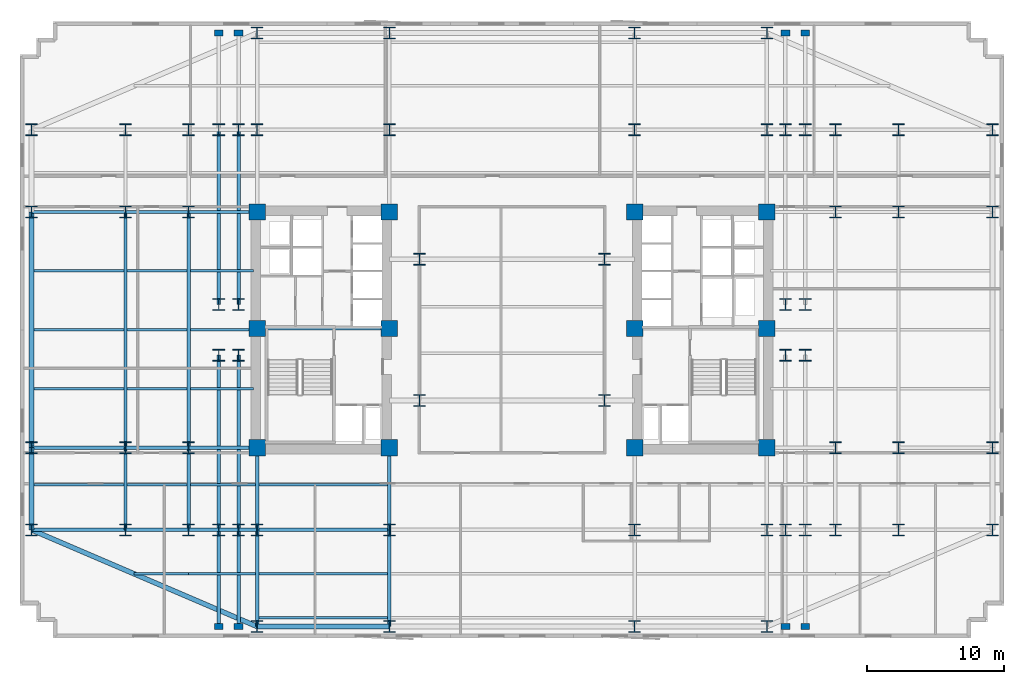
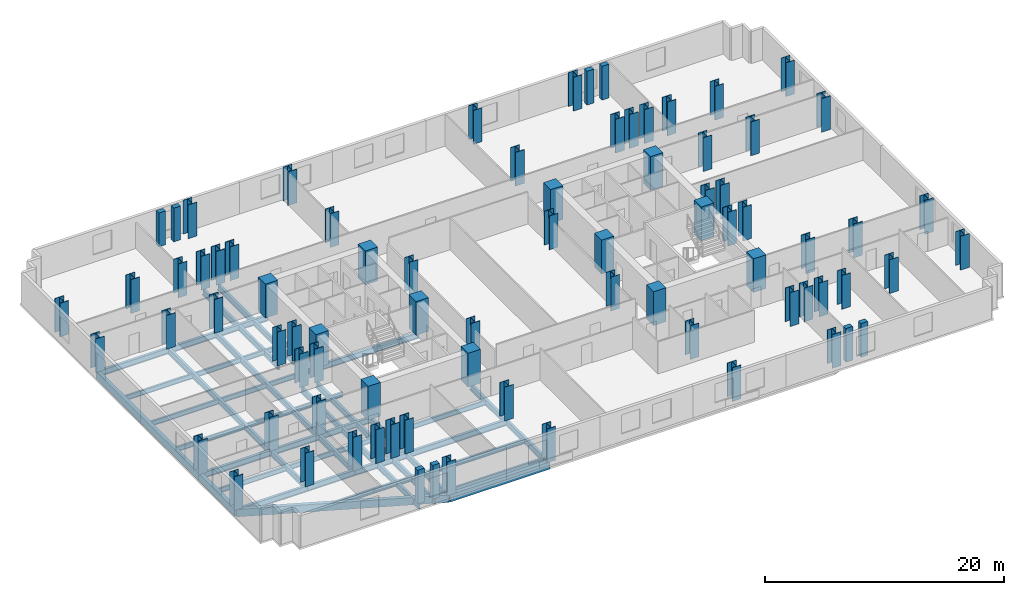
# One storey, part 1 of 10: 80 columns, 46 beams.
"""IFC4 building model written with IfcOpenShell, lengths in metres."""

from ifc_helpers import new_model, si_unit, direction, frame, origin, origin_2d, place, context, subcontext, project, spatial, rectangle, i_section, extrude, material, material_profile, profile_set, type_object, element, save


model = new_model("IFC4")

# Units and contexts
model_context = context("Model", 3, precision=1e-05, world=origin(), true_north=direction((0.0, 1.0)))
body_context = subcontext(model_context, "Body", "Model", "MODEL_VIEW")
ifc_project = project(units=[si_unit("LENGTHUNIT", "METRE"), si_unit("AREAUNIT", "SQUARE_METRE"), si_unit("VOLUMEUNIT", "CUBIC_METRE"), si_unit("PLANEANGLEUNIT", "RADIAN"), si_unit("MASSUNIT", "GRAM", prefix="KILO")], contexts=[model_context])

# Site, building, storey
site_placement = place(None, origin())
site = spatial("IfcSite", under=ifc_project, at=site_placement, CompositionType="ELEMENT")
building_placement = place(site_placement, origin())
building = spatial("IfcBuilding", under=site, at=building_placement, Name="Velakula Bourse", CompositionType="ELEMENT")
storey_placement = place(building_placement, frame((0.0, 0.0, 45.0)))
storey = spatial("IfcBuildingStorey", under=building, at=storey_placement, Name="L11", CompositionType="ELEMENT", Elevation=45.0)

# Columns
ifc_material_1 = material(Name="Concrete M70 (fck 70 MPa)", Category="concrete")
ifc_material_profile_1 = material_profile(ifc_material_1, rectangle(XDim=1.199951171875, YDim=1.199951171875, at=origin_2d()), Name="Concrete M70 (fck 70 MPa)")
ifc_profile_set_1 = profile_set([ifc_material_profile_1], Name="Concrete M70 (fck 70 MPa)")
column_type_1 = type_object("IfcColumnType", Name="COL-RC-1200", PredefinedType="COLUMN", material=ifc_profile_set_1)
for number, where, z_axis, x_axis, name in (
    (1, (-8.949951171875, -8.60009765625, 0.0), (0.0, 0.0, 1.0), (1.0, 0.0, 0.0), "L11 Core Boundary Column 01"),
    (2, (-8.949951171875, 0.10009765625, 0.0), (0.0, 0.0, 1.0), (1.0, 0.0, 0.0), "L11 Core Boundary Column 02"),
    (3, (-8.949951171875, 8.60009765625, 0.0), (0.0, 0.0, 1.0), (1.0, 0.0, 0.0), "L11 Core Boundary Column 03"),
    (4, (-18.60009765625, -8.60009765625, 0.0), (0.0, 0.0, 1.0), (1.0, 0.0, 0.0), "L11 Core Boundary Column 04"),
    (5, (-18.60009765625, 0.10009765625, 0.0), (0.0, 0.0, 1.0), (1.0, 0.0, 0.0), "L11 Core Boundary Column 05"),
    (6, (-18.60009765625, 8.60009765625, 0.0), (0.0, 0.0, 1.0), (1.0, 0.0, 0.0), "L11 Core Boundary Column 06"),
    (7, (8.949951171875, -8.60009765625, 0.0), (0.0, 0.0, 1.0), (1.0, 0.0, 0.0), "L11 Core Boundary Column 07"),
    (8, (8.949951171875, 0.10009765625, 0.0), (0.0, 0.0, 1.0), (1.0, 0.0, 0.0), "L11 Core Boundary Column 08"),
    (9, (8.949951171875, 8.60009765625, 0.0), (0.0, 0.0, 1.0), (1.0, 0.0, 0.0), "L11 Core Boundary Column 09"),
    (10, (18.60009765625, -8.60009765625, 0.0), (0.0, 0.0, 1.0), (1.0, 0.0, 0.0), "L11 Core Boundary Column 10"),
    (11, (18.60009765625, 0.10009765625, 0.0), (0.0, 0.0, 1.0), (1.0, 0.0, 0.0), "L11 Core Boundary Column 11"),
    (12, (18.60009765625, 8.60009765625, 0.0), (0.0, 0.0, 1.0), (1.0, 0.0, 0.0), "L11 Core Boundary Column 12"),
):
    element("IfcColumn", number, at=place(storey_placement, frame(where, z_axis=z_axis, x_axis=x_axis)), inside=storey, type_object=column_type_1, Name=name, PredefinedType="COLUMN", context=body_context, shape_type="SweptSolid", body=[
        extrude(rectangle(XDim=1.199951171875, YDim=1.199951171875, at=origin_2d()), origin(), (0.0, 0.0, 1.0), 3.449951171875),
    ])
ifc_material_2 = material(Name="Steel IS 2062 Grade 450 (E450)", Category="steel")
ifc_material_profile_2 = material_profile(ifc_material_2, i_section(OverallWidth=0.85009765625, OverallDepth=0.85009765625, WebThickness=0.031982421875, FlangeThickness=0.048095703125, at=origin_2d()), Name="Steel IS 2062 Grade 450 (E450)")
ifc_profile_set_2 = profile_set([ifc_material_profile_2], Name="Steel IS 2062 Grade 450 (E450)")
column_type_2 = type_object("IfcColumnType", Name="COL-STL-850", PredefinedType="COLUMN", material=ifc_profile_set_2)
for number, where, z_axis, x_axis, name in (
    (13, (-6.75, -5.14990234375, 0.0), (0.0, 0.0, 1.0), (1.0, 0.0, 0.0), "L11 Central Spine Column 01"),
    (14, (-6.75, 5.14990234375, 0.0), (0.0, 0.0, 1.0), (1.0, 0.0, 0.0), "L11 Central Spine Column 02"),
    (15, (6.75, -5.14990234375, 0.0), (0.0, 0.0, 1.0), (1.0, 0.0, 0.0), "L11 Central Spine Column 03"),
    (16, (6.75, 5.14990234375, 0.0), (0.0, 0.0, 1.0), (1.0, 0.0, 0.0), "L11 Central Spine Column 04"),
    (17, (-21.39990234375, -14.60009765625, 0.0), (0.0, 0.0, 1.0), (1.0, 0.0, 0.0), "L11 Tower Fulcrum Column 01"),
    (18, (-21.39990234375, 14.60009765625, 0.0), (0.0, 0.0, 1.0), (1.0, 0.0, 0.0), "L11 Tower Fulcrum Column 02"),
    (19, (-19.949951171875, -14.60009765625, 0.0), (0.0, 0.0, 1.0), (1.0, 0.0, 0.0), "L11 Tower Fulcrum Column 03"),
    (20, (-19.949951171875, 14.60009765625, 0.0), (0.0, 0.0, 1.0), (1.0, 0.0, 0.0), "L11 Tower Fulcrum Column 04"),
    (21, (-18.60009765625, -14.60009765625, 0.0), (0.0, 0.0, 1.0), (1.0, 0.0, 0.0), "L11 Tower Fulcrum Column 05"),
    (22, (-18.60009765625, 14.60009765625, 0.0), (0.0, 0.0, 1.0), (1.0, 0.0, 0.0), "L11 Tower Fulcrum Column 06"),
    (23, (-8.949951171875, -14.60009765625, 0.0), (0.0, 0.0, 1.0), (1.0, 0.0, 0.0), "L11 Tower Fulcrum Column 07"),
    (24, (-8.949951171875, 14.60009765625, 0.0), (0.0, 0.0, 1.0), (1.0, 0.0, 0.0), "L11 Tower Fulcrum Column 08"),
    (25, (8.949951171875, -14.60009765625, 0.0), (0.0, 0.0, 1.0), (1.0, 0.0, 0.0), "L11 Tower Fulcrum Column 09"),
    (26, (8.949951171875, 14.60009765625, 0.0), (0.0, 0.0, 1.0), (1.0, 0.0, 0.0), "L11 Tower Fulcrum Column 10"),
    (27, (18.60009765625, -14.60009765625, 0.0), (0.0, 0.0, 1.0), (1.0, 0.0, 0.0), "L11 Tower Fulcrum Column 11"),
    (28, (18.60009765625, 14.60009765625, 0.0), (0.0, 0.0, 1.0), (1.0, 0.0, 0.0), "L11 Tower Fulcrum Column 12"),
    (29, (19.949951171875, -14.60009765625, 0.0), (0.0, 0.0, 1.0), (1.0, 0.0, 0.0), "L11 Tower Fulcrum Column 13"),
    (30, (19.949951171875, 14.60009765625, 0.0), (0.0, 0.0, 1.0), (1.0, 0.0, 0.0), "L11 Tower Fulcrum Column 14"),
    (31, (21.39990234375, -14.60009765625, 0.0), (0.0, 0.0, 1.0), (1.0, 0.0, 0.0), "L11 Tower Fulcrum Column 15"),
    (32, (21.39990234375, 14.60009765625, 0.0), (0.0, 0.0, 1.0), (1.0, 0.0, 0.0), "L11 Tower Fulcrum Column 16"),
    (33, (-21.39990234375, -1.85009765625, 0.0), (0.0, 0.0, 1.0), (1.0, 0.0, 0.0), "L11 Tower Fulcrum Column 17"),
    (34, (-21.39990234375, 1.85009765625, 0.0), (0.0, 0.0, 1.0), (1.0, 0.0, 0.0), "L11 Tower Fulcrum Column 18"),
    (35, (-19.949951171875, -1.85009765625, 0.0), (0.0, 0.0, 1.0), (1.0, 0.0, 0.0), "L11 Tower Fulcrum Column 19"),
    (36, (-19.949951171875, 1.85009765625, 0.0), (0.0, 0.0, 1.0), (1.0, 0.0, 0.0), "L11 Tower Fulcrum Column 20"),
    (37, (19.949951171875, -1.85009765625, 0.0), (0.0, 0.0, 1.0), (1.0, 0.0, 0.0), "L11 Tower Fulcrum Column 21"),
    (38, (19.949951171875, 1.85009765625, 0.0), (0.0, 0.0, 1.0), (1.0, 0.0, 0.0), "L11 Tower Fulcrum Column 22"),
    (39, (21.39990234375, -1.85009765625, 0.0), (0.0, 0.0, 1.0), (1.0, 0.0, 0.0), "L11 Tower Fulcrum Column 23"),
    (40, (21.39990234375, 1.85009765625, 0.0), (0.0, 0.0, 1.0), (1.0, 0.0, 0.0), "L11 Tower Fulcrum Column 24"),
    (41, (-23.60009765625, -14.60009765625, 0.0), (0.0, 0.0, 1.0), (1.0, 0.0, 0.0), "L11 Mid-Wing Plumb Column 01"),
    (42, (-23.60009765625, -8.60009765625, 0.0), (0.0, 0.0, 1.0), (1.0, 0.0, 0.0), "L11 Mid-Wing Plumb Column 02"),
    (43, (-23.60009765625, 8.60009765625, 0.0), (0.0, 0.0, 1.0), (1.0, 0.0, 0.0), "L11 Mid-Wing Plumb Column 03"),
    (44, (-23.60009765625, 14.60009765625, 0.0), (0.0, 0.0, 1.0), (1.0, 0.0, 0.0), "L11 Mid-Wing Plumb Column 04"),
    (45, (23.60009765625, -14.60009765625, 0.0), (0.0, 0.0, 1.0), (1.0, 0.0, 0.0), "L11 Mid-Wing Plumb Column 05"),
    (46, (23.60009765625, -8.60009765625, 0.0), (0.0, 0.0, 1.0), (1.0, 0.0, 0.0), "L11 Mid-Wing Plumb Column 06"),
    (47, (23.60009765625, 8.60009765625, 0.0), (0.0, 0.0, 1.0), (1.0, 0.0, 0.0), "L11 Mid-Wing Plumb Column 07"),
    (48, (23.60009765625, 14.60009765625, 0.0), (0.0, 0.0, 1.0), (1.0, 0.0, 0.0), "L11 Mid-Wing Plumb Column 08"),
    (49, (-28.199951171875, -14.60009765625, 0.0), (0.0, 0.0, 1.0), (1.0, 0.0, 0.0), "L11 Lower Wing Column 01"),
    (50, (-28.199951171875, -8.60009765625, 0.0), (0.0, 0.0, 1.0), (1.0, 0.0, 0.0), "L11 Lower Wing Column 02"),
    (51, (-28.199951171875, 8.60009765625, 0.0), (0.0, 0.0, 1.0), (1.0, 0.0, 0.0), "L11 Lower Wing Column 03"),
    (52, (-28.199951171875, 14.60009765625, 0.0), (0.0, 0.0, 1.0), (1.0, 0.0, 0.0), "L11 Lower Wing Column 04"),
    (53, (28.199951171875, -14.60009765625, 0.0), (0.0, 0.0, 1.0), (1.0, 0.0, 0.0), "L11 Lower Wing Column 05"),
    (54, (28.199951171875, -8.60009765625, 0.0), (0.0, 0.0, 1.0), (1.0, 0.0, 0.0), "L11 Lower Wing Column 06"),
    (55, (28.199951171875, 8.60009765625, 0.0), (0.0, 0.0, 1.0), (1.0, 0.0, 0.0), "L11 Lower Wing Column 07"),
    (56, (28.199951171875, 14.60009765625, 0.0), (0.0, 0.0, 1.0), (1.0, 0.0, 0.0), "L11 Lower Wing Column 08"),
    (57, (-18.60009765625, -21.64990234375, 0.0), (0.0, 0.0, 1.0), (1.0, 0.0, 0.0), "L11 Block B1 Perimeter Column S1"),
    (58, (-8.949951171875, -21.64990234375, 0.0), (0.0, 0.0, 1.0), (1.0, 0.0, 0.0), "L11 Block B1 Perimeter Column S2"),
    (59, (8.949951171875, -21.64990234375, 0.0), (0.0, 0.0, 1.0), (1.0, 0.0, 0.0), "L11 Block B1 Perimeter Column S3"),
    (60, (18.60009765625, -21.64990234375, 0.0), (0.0, 0.0, 1.0), (1.0, 0.0, 0.0), "L11 Block B1 Perimeter Column S4"),
    (61, (-18.60009765625, 21.64990234375, 0.0), (0.0, 0.0, 1.0), (1.0, 0.0, 0.0), "L11 Block B1 Perimeter Column N1"),
    (62, (-8.949951171875, 21.64990234375, 0.0), (0.0, 0.0, 1.0), (1.0, 0.0, 0.0), "L11 Block B1 Perimeter Column N2"),
    (63, (8.949951171875, 21.64990234375, 0.0), (0.0, 0.0, 1.0), (1.0, 0.0, 0.0), "L11 Block B1 Perimeter Column N3"),
    (64, (18.60009765625, 21.64990234375, 0.0), (0.0, 0.0, 1.0), (1.0, 0.0, 0.0), "L11 Block B1 Perimeter Column N4"),
    (65, (-35.050048828125, -14.60009765625, 0.0), (0.0, 0.0, 1.0), (1.0, 0.0, 0.0), "L11 Block B1 Perimeter Column W1"),
    (66, (-35.050048828125, -8.60009765625, 0.0), (0.0, 0.0, 1.0), (1.0, 0.0, 0.0), "L11 Block B1 Perimeter Column W2"),
    (67, (-35.050048828125, 8.60009765625, 0.0), (0.0, 0.0, 1.0), (1.0, 0.0, 0.0), "L11 Block B1 Perimeter Column W3"),
    (68, (-35.050048828125, 14.60009765625, 0.0), (0.0, 0.0, 1.0), (1.0, 0.0, 0.0), "L11 Block B1 Perimeter Column W4"),
    (69, (35.050048828125, -14.60009765625, 0.0), (0.0, 0.0, 1.0), (1.0, 0.0, 0.0), "L11 Block B1 Perimeter Column E1"),
    (70, (35.050048828125, -8.60009765625, 0.0), (0.0, 0.0, 1.0), (1.0, 0.0, 0.0), "L11 Block B1 Perimeter Column E2"),
    (71, (35.050048828125, 8.60009765625, 0.0), (0.0, 0.0, 1.0), (1.0, 0.0, 0.0), "L11 Block B1 Perimeter Column E3"),
    (72, (35.050048828125, 14.60009765625, 0.0), (0.0, 0.0, 1.0), (1.0, 0.0, 0.0), "L11 Block B1 Perimeter Column E4"),
):
    element("IfcColumn", number, at=place(storey_placement, frame(where, z_axis=z_axis, x_axis=x_axis)), inside=storey, type_object=column_type_2, Name=name, PredefinedType="COLUMN", context=body_context, shape_type="SweptSolid", body=[
        extrude(i_section(OverallWidth=0.85009765625, OverallDepth=0.85009765625, WebThickness=0.031982421875, FlangeThickness=0.048095703125, at=origin_2d()), origin(), (0.0, 0.0, 1.0), 3.449951171875),
    ])
ifc_material_3 = material(Name="Precast concrete M45 (fck 45 MPa)", Category="concrete")
ifc_material_profile_3 = material_profile(ifc_material_3, rectangle(XDim=0.64990234375, YDim=0.449951171875, at=origin_2d()), Name="Precast concrete M45 (fck 45 MPa)")
ifc_profile_set_3 = profile_set([ifc_material_profile_3], Name="Precast concrete M45 (fck 45 MPa)")
column_type_3 = type_object("IfcColumnType", Name="PIL-BRICK-650", PredefinedType="PILASTER", material=ifc_profile_set_3)
for number, where, z_axis, x_axis, name in (
    (73, (-21.39990234375, -21.64990234375, 0.0), (0.0, 0.0, 1.0), (1.0, 0.0, 0.0), "L11 Brick Pier Pilaster 01"),
    (74, (-19.949951171875, -21.64990234375, 0.0), (0.0, 0.0, 1.0), (1.0, 0.0, 0.0), "L11 Brick Pier Pilaster 02"),
    (75, (19.949951171875, -21.64990234375, 0.0), (0.0, 0.0, 1.0), (1.0, 0.0, 0.0), "L11 Brick Pier Pilaster 03"),
    (76, (21.39990234375, -21.64990234375, 0.0), (0.0, 0.0, 1.0), (1.0, 0.0, 0.0), "L11 Brick Pier Pilaster 04"),
    (77, (-21.39990234375, 21.64990234375, 0.0), (0.0, 0.0, 1.0), (1.0, 0.0, 0.0), "L11 Brick Pier Pilaster 05"),
    (78, (-19.949951171875, 21.64990234375, 0.0), (0.0, 0.0, 1.0), (1.0, 0.0, 0.0), "L11 Brick Pier Pilaster 06"),
    (79, (19.949951171875, 21.64990234375, 0.0), (0.0, 0.0, 1.0), (1.0, 0.0, 0.0), "L11 Brick Pier Pilaster 07"),
    (80, (21.39990234375, 21.64990234375, 0.0), (0.0, 0.0, 1.0), (1.0, 0.0, 0.0), "L11 Brick Pier Pilaster 08"),
):
    element("IfcColumn", number, at=place(storey_placement, frame(where, z_axis=z_axis, x_axis=x_axis)), inside=storey, type_object=column_type_3, Name=name, PredefinedType="PILASTER", context=body_context, shape_type="SweptSolid", body=[
        extrude(rectangle(XDim=0.64990234375, YDim=0.449951171875, at=origin_2d()), origin(), (0.0, 0.0, 1.0), 3.449951171875),
    ])

# Beams
ifc_material_4 = material(Name="Steel IS 2062 Grade 350 (E350)", Category="steel")
ifc_material_profile_4 = material_profile(ifc_material_4, i_section(OverallWidth=0.25, OverallDepth=0.60009765625, WebThickness=0.01171875, FlangeThickness=0.023681640625, at=origin_2d()), Name="Steel IS 2062 Grade 350 (E350)")
ifc_profile_set_4 = profile_set([ifc_material_profile_4], Name="Steel IS 2062 Grade 350 (E350)")
beam_type_1 = type_object("IfcBeamType", Name="BM-GRD-600H", PredefinedType="BEAM", material=ifc_profile_set_4)
beam_1_placement = place(storey_placement, frame((-18.60009765625, 0.10009765625, -0.47998046875), z_axis=(1.0, 0.0, 0.0), x_axis=(0.0, 1.0, 0.0)))
element("IfcBeam", 81, at=beam_1_placement, inside=storey, type_object=beam_type_1, Name="L11 Primary Backbone Girder CRW-M", PredefinedType="BEAM", context=body_context, shape_type="SweptSolid", body=[
    extrude(i_section(OverallWidth=0.25, OverallDepth=0.60009765625, WebThickness=0.01171875, FlangeThickness=0.023681640625, at=origin_2d()), origin(), (0.0, 0.0, 1.0), 9.650146484375),
])
for number, where, z_axis, x_axis, name in (
    (82, (-18.60009765625, -14.60009765625, -0.47998046875), (0.0, 1.0, 0.0), (-1.0, 0.0, 0.0), "L11 Fulcrum Grid Girder FLC-WS"),
    (83, (-8.949951171875, -14.60009765625, -0.47998046875), (0.0, 1.0, 0.0), (-1.0, 0.0, 0.0), "L11 Fulcrum Grid Girder FLC-WCS"),
):
    element("IfcBeam", number, at=place(storey_placement, frame(where, z_axis=z_axis, x_axis=x_axis)), inside=storey, type_object=beam_type_1, Name=name, PredefinedType="BEAM", context=body_context, shape_type="SweptSolid", body=[
        extrude(i_section(OverallWidth=0.25, OverallDepth=0.60009765625, WebThickness=0.01171875, FlangeThickness=0.023681640625, at=origin_2d()), origin(), (0.0, 0.0, 1.0), 6.0),
    ])
beam_2_placement = place(storey_placement, frame((-18.60009765625, -14.60009765625, -0.47998046875), z_axis=(1.0, 0.0, 0.0), x_axis=(0.0, 1.0, 0.0)))
element("IfcBeam", 84, at=beam_2_placement, inside=storey, type_object=beam_type_1, Name="L11 Fulcrum Grid Girder FLC-S1", PredefinedType="BEAM", context=body_context, shape_type="SweptSolid", body=[
    extrude(i_section(OverallWidth=0.25, OverallDepth=0.60009765625, WebThickness=0.01171875, FlangeThickness=0.023681640625, at=origin_2d()), origin(), (0.0, 0.0, 1.0), 9.650146484375),
])
for number, where, z_axis, x_axis, name in (
    (85, (-21.39990234375, -14.60009765625, -0.47998046875), (0.0, 1.0, 0.0), (-1.0, 0.0, 0.0), "L11 Fulcrum Grid Girder FLC-PSW1"),
    (86, (-21.39990234375, 1.85009765625, -0.47998046875), (0.0, 1.0, 0.0), (-1.0, 0.0, 0.0), "L11 Fulcrum Grid Girder FLC-PNW1"),
    (87, (-19.949951171875, -14.60009765625, -0.47998046875), (0.0, 1.0, 0.0), (-1.0, 0.0, 0.0), "L11 Fulcrum Grid Girder FLC-PSW2"),
    (88, (-19.949951171875, 1.85009765625, -0.47998046875), (0.0, 1.0, 0.0), (-1.0, 0.0, 0.0), "L11 Fulcrum Grid Girder FLC-PNW2"),
):
    element("IfcBeam", number, at=place(storey_placement, frame(where, z_axis=z_axis, x_axis=x_axis)), inside=storey, type_object=beam_type_1, Name=name, PredefinedType="BEAM", context=body_context, shape_type="SweptSolid", body=[
        extrude(i_section(OverallWidth=0.25, OverallDepth=0.60009765625, WebThickness=0.01171875, FlangeThickness=0.023681640625, at=origin_2d()), origin(), (0.0, 0.0, 1.0), 12.75),
    ])
for number, where, z_axis, x_axis, name in (
    (89, (-23.60009765625, -14.60009765625, -0.47998046875), (1.0, 0.0, 0.0), (0.0, 1.0, 0.0), "L11 Fulcrum Grid Girder MWG-WS1"),
    (90, (-23.60009765625, -8.60009765625, -0.47998046875), (1.0, 0.0, 0.0), (0.0, 1.0, 0.0), "L11 Fulcrum Grid Girder MWG-WS2"),
    (91, (-23.60009765625, 8.60009765625, -0.47998046875), (1.0, 0.0, 0.0), (0.0, 1.0, 0.0), "L11 Fulcrum Grid Girder MWG-WN1"),
):
    element("IfcBeam", number, at=place(storey_placement, frame(where, z_axis=z_axis, x_axis=x_axis)), inside=storey, type_object=beam_type_1, Name=name, PredefinedType="BEAM", context=body_context, shape_type="SweptSolid", body=[
        extrude(i_section(OverallWidth=0.25, OverallDepth=0.60009765625, WebThickness=0.01171875, FlangeThickness=0.023681640625, at=origin_2d()), origin(), (0.0, 0.0, 1.0), 5.0),
    ])
beam_3_placement = place(storey_placement, frame((-23.60009765625, -14.60009765625, -0.47998046875), z_axis=(0.0, 1.0, 0.0), x_axis=(-1.0, 0.0, 0.0)))
element("IfcBeam", 92, at=beam_3_placement, inside=storey, type_object=beam_type_1, Name="L11 Fulcrum Grid Girder MWG-WNS1", PredefinedType="BEAM", context=body_context, shape_type="SweptSolid", body=[
    extrude(i_section(OverallWidth=0.25, OverallDepth=0.60009765625, WebThickness=0.01171875, FlangeThickness=0.023681640625, at=origin_2d()), origin(), (0.0, 0.0, 1.0), 6.0),
])
beam_4_placement = place(storey_placement, frame((-23.60009765625, -8.60009765625, -0.47998046875), z_axis=(0.0, 1.0, 0.0), x_axis=(-1.0, 0.0, 0.0)))
element("IfcBeam", 93, at=beam_4_placement, inside=storey, type_object=beam_type_1, Name="L11 Fulcrum Grid Girder MWG-WNS2", PredefinedType="BEAM", context=body_context, shape_type="SweptSolid", body=[
    extrude(i_section(OverallWidth=0.25, OverallDepth=0.60009765625, WebThickness=0.01171875, FlangeThickness=0.023681640625, at=origin_2d()), origin(), (0.0, 0.0, 1.0), 17.2001953125),
])
for number, where, z_axis, x_axis, name in (
    (94, (-28.199951171875, -14.60009765625, -0.47998046875), (1.0, 0.0, 0.0), (0.0, 1.0, 0.0), "L11 Fulcrum Grid Girder WNG-WS1"),
    (95, (-28.199951171875, -8.60009765625, -0.47998046875), (1.0, 0.0, 0.0), (0.0, 1.0, 0.0), "L11 Fulcrum Grid Girder WNG-WS2"),
    (96, (-28.199951171875, 8.60009765625, -0.47998046875), (1.0, 0.0, 0.0), (0.0, 1.0, 0.0), "L11 Fulcrum Grid Girder WNG-WN1"),
):
    element("IfcBeam", number, at=place(storey_placement, frame(where, z_axis=z_axis, x_axis=x_axis)), inside=storey, type_object=beam_type_1, Name=name, PredefinedType="BEAM", context=body_context, shape_type="SweptSolid", body=[
        extrude(i_section(OverallWidth=0.25, OverallDepth=0.60009765625, WebThickness=0.01171875, FlangeThickness=0.023681640625, at=origin_2d()), origin(), (0.0, 0.0, 1.0), 4.599853515625),
    ])
beam_5_placement = place(storey_placement, frame((-28.199951171875, -14.60009765625, -0.47998046875), z_axis=(0.0, 1.0, 0.0), x_axis=(-1.0, 0.0, 0.0)))
element("IfcBeam", 97, at=beam_5_placement, inside=storey, type_object=beam_type_1, Name="L11 Fulcrum Grid Girder WNG-WNS1", PredefinedType="BEAM", context=body_context, shape_type="SweptSolid", body=[
    extrude(i_section(OverallWidth=0.25, OverallDepth=0.60009765625, WebThickness=0.01171875, FlangeThickness=0.023681640625, at=origin_2d()), origin(), (0.0, 0.0, 1.0), 6.0),
])
beam_6_placement = place(storey_placement, frame((-28.199951171875, -8.60009765625, -0.47998046875), z_axis=(0.0, 1.0, 0.0), x_axis=(-1.0, 0.0, 0.0)))
element("IfcBeam", 98, at=beam_6_placement, inside=storey, type_object=beam_type_1, Name="L11 Fulcrum Grid Girder WNG-WNS2", PredefinedType="BEAM", context=body_context, shape_type="SweptSolid", body=[
    extrude(i_section(OverallWidth=0.25, OverallDepth=0.60009765625, WebThickness=0.01171875, FlangeThickness=0.023681640625, at=origin_2d()), origin(), (0.0, 0.0, 1.0), 17.2001953125),
])
for number, where, z_axis, x_axis, name in (
    (99, (-18.60009765625, -14.60009765625, -0.47998046875), (0.0, -1.0, 0.0), (1.0, 0.0, 0.0), "L11 Perimeter Tie Girder S1"),
    (100, (-8.949951171875, -14.60009765625, -0.47998046875), (0.0, -1.0, 0.0), (1.0, 0.0, 0.0), "L11 Perimeter Tie Girder S2"),
):
    element("IfcBeam", number, at=place(storey_placement, frame(where, z_axis=z_axis, x_axis=x_axis)), inside=storey, type_object=beam_type_1, Name=name, PredefinedType="BEAM", context=body_context, shape_type="SweptSolid", body=[
        extrude(i_section(OverallWidth=0.25, OverallDepth=0.60009765625, WebThickness=0.01171875, FlangeThickness=0.023681640625, at=origin_2d()), origin(), (0.0, 0.0, 1.0), 7.0498046875),
    ])
for number, where, z_axis, x_axis, name in (
    (101, (-28.199951171875, -14.60009765625, -0.47998046875), (-1.0, 0.0, 0.0), (0.0, -1.0, 0.0), "L11 Perimeter Tie Girder W1"),
    (102, (-28.199951171875, -8.60009765625, -0.47998046875), (-1.0, 0.0, 0.0), (0.0, -1.0, 0.0), "L11 Perimeter Tie Girder W2"),
    (103, (-28.199951171875, 8.60009765625, -0.47998046875), (-1.0, 0.0, 0.0), (0.0, -1.0, 0.0), "L11 Perimeter Tie Girder W3"),
):
    element("IfcBeam", number, at=place(storey_placement, frame(where, z_axis=z_axis, x_axis=x_axis)), inside=storey, type_object=beam_type_1, Name=name, PredefinedType="BEAM", context=body_context, shape_type="SweptSolid", body=[
        extrude(i_section(OverallWidth=0.25, OverallDepth=0.60009765625, WebThickness=0.01171875, FlangeThickness=0.023681640625, at=origin_2d()), origin(), (0.0, 0.0, 1.0), 6.85009765625),
    ])
for number, where, z_axis, x_axis, name in (
    (104, (-21.39990234375, -14.60009765625, -0.47998046875), (0.0, -1.0, 0.0), (1.0, 0.0, 0.0), "L11 Perimeter Tie Girder P01"),
    (105, (-19.949951171875, -14.60009765625, -0.47998046875), (0.0, -1.0, 0.0), (1.0, 0.0, 0.0), "L11 Perimeter Tie Girder P02"),
):
    element("IfcBeam", number, at=place(storey_placement, frame(where, z_axis=z_axis, x_axis=x_axis)), inside=storey, type_object=beam_type_1, Name=name, PredefinedType="BEAM", context=body_context, shape_type="SweptSolid", body=[
        extrude(i_section(OverallWidth=0.25, OverallDepth=0.60009765625, WebThickness=0.01171875, FlangeThickness=0.023681640625, at=origin_2d()), origin(), (0.0, 0.0, 1.0), 7.0498046875),
    ])
ifc_material_profile_5 = material_profile(ifc_material_4, i_section(OverallWidth=0.179931640625, OverallDepth=0.5, WebThickness=0.01025390625, FlangeThickness=0.01708984375, at=origin_2d()), Name="Steel IS 2062 Grade 350 (E350)")
ifc_profile_set_5 = profile_set([ifc_material_profile_5], Name="Steel IS 2062 Grade 350 (E350)")
beam_type_2 = type_object("IfcBeamType", Name="JST-TWR-500", PredefinedType="JOIST", material=ifc_profile_set_5)
beam_7_placement = place(storey_placement, frame((-18.47509765625, -21.0, -0.429931640625), z_axis=(1.0, 0.0, 0.0), x_axis=(0.0, 1.0, 0.0)))
element("IfcBeam", 106, at=beam_7_placement, inside=storey, type_object=beam_type_2, Name="L11 Trading Floor Composite Joist 01", PredefinedType="JOIST", context=body_context, shape_type="SweptSolid", body=[
    extrude(i_section(OverallWidth=0.179931640625, OverallDepth=0.5, WebThickness=0.01025390625, FlangeThickness=0.01708984375, at=origin_2d()), origin(), (0.0, 0.0, 1.0), 9.400146484375),
])
beam_8_placement = place(storey_placement, frame((-27.583251953125, -17.800048828125, -0.429931640625), z_axis=(1.0, 0.0, 0.0), x_axis=(0.0, 1.0, 0.0)))
element("IfcBeam", 107, at=beam_8_placement, inside=storey, type_object=beam_type_2, Name="L11 Trading Floor Composite Joist 04", PredefinedType="JOIST", context=body_context, shape_type="SweptSolid", body=[
    extrude(i_section(OverallWidth=0.179931640625, OverallDepth=0.5, WebThickness=0.01025390625, FlangeThickness=0.01708984375, at=origin_2d()), origin(), (0.0, 0.0, 1.0), 3.983154296875),
])
beam_9_placement = place(storey_placement, frame((-23.60009765625, -17.800048828125, -0.429931640625), z_axis=(1.0, 0.0, 0.0), x_axis=(0.0, 1.0, 0.0)))
element("IfcBeam", 108, at=beam_9_placement, inside=storey, type_object=beam_type_2, Name="L11 Trading Floor Composite Joist 05", PredefinedType="JOIST", context=body_context, shape_type="SweptSolid", body=[
    extrude(i_section(OverallWidth=0.179931640625, OverallDepth=0.5, WebThickness=0.01025390625, FlangeThickness=0.01708984375, at=origin_2d()), origin(), (0.0, 0.0, 1.0), 4.875),
])
beam_10_placement = place(storey_placement, frame((-18.47509765625, -17.800048828125, -0.429931640625), z_axis=(1.0, 0.0, 0.0), x_axis=(0.0, 1.0, 0.0)))
element("IfcBeam", 109, at=beam_10_placement, inside=storey, type_object=beam_type_2, Name="L11 Trading Floor Composite Joist 06", PredefinedType="JOIST", context=body_context, shape_type="SweptSolid", body=[
    extrude(i_section(OverallWidth=0.179931640625, OverallDepth=0.5, WebThickness=0.01025390625, FlangeThickness=0.01708984375, at=origin_2d()), origin(), (0.0, 0.0, 1.0), 9.400146484375),
])
beam_11_placement = place(storey_placement, frame((-34.875, -11.300048828125, -0.429931640625), z_axis=(1.0, 0.0, 0.0), x_axis=(0.0, 1.0, 0.0)))
element("IfcBeam", 110, at=beam_11_placement, inside=storey, type_object=beam_type_2, Name="L11 Trading Floor Composite Joist 11", PredefinedType="JOIST", context=body_context, shape_type="SweptSolid", body=[
    extrude(i_section(OverallWidth=0.179931640625, OverallDepth=0.5, WebThickness=0.01025390625, FlangeThickness=0.01708984375, at=origin_2d()), origin(), (0.0, 0.0, 1.0), 6.550048828125),
])
beam_12_placement = place(storey_placement, frame((-28.074951171875, -11.300048828125, -0.429931640625), z_axis=(1.0, 0.0, 0.0), x_axis=(0.0, 1.0, 0.0)))
element("IfcBeam", 111, at=beam_12_placement, inside=storey, type_object=beam_type_2, Name="L11 Trading Floor Composite Joist 12", PredefinedType="JOIST", context=body_context, shape_type="SweptSolid", body=[
    extrude(i_section(OverallWidth=0.179931640625, OverallDepth=0.5, WebThickness=0.01025390625, FlangeThickness=0.01708984375, at=origin_2d()), origin(), (0.0, 0.0, 1.0), 4.349853515625),
])
beam_13_placement = place(storey_placement, frame((-23.47509765625, -11.300048828125, -0.429931640625), z_axis=(1.0, 0.0, 0.0), x_axis=(0.0, 1.0, 0.0)))
element("IfcBeam", 112, at=beam_13_placement, inside=storey, type_object=beam_type_2, Name="L11 Trading Floor Composite Joist 13", PredefinedType="JOIST", context=body_context, shape_type="SweptSolid", body=[
    extrude(i_section(OverallWidth=0.179931640625, OverallDepth=0.5, WebThickness=0.01025390625, FlangeThickness=0.01708984375, at=origin_2d()), origin(), (0.0, 0.0, 1.0), 4.75),
])
beam_14_placement = place(storey_placement, frame((-18.47509765625, -11.300048828125, -0.429931640625), z_axis=(1.0, 0.0, 0.0), x_axis=(0.0, 1.0, 0.0)))
element("IfcBeam", 113, at=beam_14_placement, inside=storey, type_object=beam_type_2, Name="L11 Trading Floor Composite Joist 14", PredefinedType="JOIST", context=body_context, shape_type="SweptSolid", body=[
    extrude(i_section(OverallWidth=0.179931640625, OverallDepth=0.5, WebThickness=0.01025390625, FlangeThickness=0.01708984375, at=origin_2d()), origin(), (0.0, 0.0, 1.0), 9.400146484375),
])
beam_15_placement = place(storey_placement, frame((-34.875, -4.300048828125, -0.429931640625), z_axis=(1.0, 0.0, 0.0), x_axis=(0.0, 1.0, 0.0)))
element("IfcBeam", 114, at=beam_15_placement, inside=storey, type_object=beam_type_2, Name="L11 Trading Floor Composite Joist 41", PredefinedType="JOIST", context=body_context, shape_type="SweptSolid", body=[
    extrude(i_section(OverallWidth=0.179931640625, OverallDepth=0.5, WebThickness=0.01025390625, FlangeThickness=0.01708984375, at=origin_2d()), origin(), (0.0, 0.0, 1.0), 6.550048828125),
])
beam_16_placement = place(storey_placement, frame((-28.074951171875, -4.300048828125, -0.429931640625), z_axis=(1.0, 0.0, 0.0), x_axis=(0.0, 1.0, 0.0)))
element("IfcBeam", 115, at=beam_16_placement, inside=storey, type_object=beam_type_2, Name="L11 Trading Floor Composite Joist 42", PredefinedType="JOIST", context=body_context, shape_type="SweptSolid", body=[
    extrude(i_section(OverallWidth=0.179931640625, OverallDepth=0.5, WebThickness=0.01025390625, FlangeThickness=0.01708984375, at=origin_2d()), origin(), (0.0, 0.0, 1.0), 4.349853515625),
])
beam_17_placement = place(storey_placement, frame((-23.47509765625, -4.300048828125, -0.429931640625), z_axis=(1.0, 0.0, 0.0), x_axis=(0.0, 1.0, 0.0)))
element("IfcBeam", 116, at=beam_17_placement, inside=storey, type_object=beam_type_2, Name="L11 Trading Floor Composite Joist 43", PredefinedType="JOIST", context=body_context, shape_type="SweptSolid", body=[
    extrude(i_section(OverallWidth=0.179931640625, OverallDepth=0.5, WebThickness=0.01025390625, FlangeThickness=0.01708984375, at=origin_2d()), origin(), (0.0, 0.0, 1.0), 4.625),
])
beam_18_placement = place(storey_placement, frame((-34.875, 0.0, -0.429931640625), z_axis=(1.0, 0.0, 0.0), x_axis=(0.0, 1.0, 0.0)))
element("IfcBeam", 117, at=beam_18_placement, inside=storey, type_object=beam_type_2, Name="L11 Trading Floor Composite Joist 47", PredefinedType="JOIST", context=body_context, shape_type="SweptSolid", body=[
    extrude(i_section(OverallWidth=0.179931640625, OverallDepth=0.5, WebThickness=0.01025390625, FlangeThickness=0.01708984375, at=origin_2d()), origin(), (0.0, 0.0, 1.0), 6.550048828125),
])
beam_19_placement = place(storey_placement, frame((-28.074951171875, 0.0, -0.429931640625), z_axis=(1.0, 0.0, 0.0), x_axis=(0.0, 1.0, 0.0)))
element("IfcBeam", 118, at=beam_19_placement, inside=storey, type_object=beam_type_2, Name="L11 Trading Floor Composite Joist 48", PredefinedType="JOIST", context=body_context, shape_type="SweptSolid", body=[
    extrude(i_section(OverallWidth=0.179931640625, OverallDepth=0.5, WebThickness=0.01025390625, FlangeThickness=0.01708984375, at=origin_2d()), origin(), (0.0, 0.0, 1.0), 4.349853515625),
])
beam_20_placement = place(storey_placement, frame((-23.47509765625, 0.0, -0.429931640625), z_axis=(1.0, 0.0, 0.0), x_axis=(0.0, 1.0, 0.0)))
element("IfcBeam", 119, at=beam_20_placement, inside=storey, type_object=beam_type_2, Name="L11 Trading Floor Composite Joist 49", PredefinedType="JOIST", context=body_context, shape_type="SweptSolid", body=[
    extrude(i_section(OverallWidth=0.179931640625, OverallDepth=0.5, WebThickness=0.01025390625, FlangeThickness=0.01708984375, at=origin_2d()), origin(), (0.0, 0.0, 1.0), 4.625),
])
beam_21_placement = place(storey_placement, frame((-34.875, 4.300048828125, -0.429931640625), z_axis=(1.0, 0.0, 0.0), x_axis=(0.0, 1.0, 0.0)))
element("IfcBeam", 120, at=beam_21_placement, inside=storey, type_object=beam_type_2, Name="L11 Trading Floor Composite Joist 53", PredefinedType="JOIST", context=body_context, shape_type="SweptSolid", body=[
    extrude(i_section(OverallWidth=0.179931640625, OverallDepth=0.5, WebThickness=0.01025390625, FlangeThickness=0.01708984375, at=origin_2d()), origin(), (0.0, 0.0, 1.0), 6.550048828125),
])
beam_22_placement = place(storey_placement, frame((-28.074951171875, 4.300048828125, -0.429931640625), z_axis=(1.0, 0.0, 0.0), x_axis=(0.0, 1.0, 0.0)))
element("IfcBeam", 121, at=beam_22_placement, inside=storey, type_object=beam_type_2, Name="L11 Trading Floor Composite Joist 54", PredefinedType="JOIST", context=body_context, shape_type="SweptSolid", body=[
    extrude(i_section(OverallWidth=0.179931640625, OverallDepth=0.5, WebThickness=0.01025390625, FlangeThickness=0.01708984375, at=origin_2d()), origin(), (0.0, 0.0, 1.0), 4.349853515625),
])
beam_23_placement = place(storey_placement, frame((-23.47509765625, 4.300048828125, -0.429931640625), z_axis=(1.0, 0.0, 0.0), x_axis=(0.0, 1.0, 0.0)))
element("IfcBeam", 122, at=beam_23_placement, inside=storey, type_object=beam_type_2, Name="L11 Trading Floor Composite Joist 55", PredefinedType="JOIST", context=body_context, shape_type="SweptSolid", body=[
    extrude(i_section(OverallWidth=0.179931640625, OverallDepth=0.5, WebThickness=0.01025390625, FlangeThickness=0.01708984375, at=origin_2d()), origin(), (0.0, 0.0, 1.0), 4.625),
])
ifc_material_profile_6 = material_profile(ifc_material_3, rectangle(XDim=0.35009765625, YDim=0.75, at=origin_2d()), Name="Precast concrete M45 (fck 45 MPa)")
ifc_profile_set_6 = profile_set([ifc_material_profile_6], Name="Precast concrete M45 (fck 45 MPa)")
beam_type_3 = type_object("IfcBeamType", Name="SPN-BRICK-750", PredefinedType="SPANDREL", material=ifc_profile_set_6)
beam_24_placement = place(storey_placement, frame((-18.60009765625, -21.64990234375, -0.554931640625), z_axis=(1.0, 0.0, 0.0), x_axis=(0.0, 1.0, 0.0)))
element("IfcBeam", 123, at=beam_24_placement, inside=storey, type_object=beam_type_3, Name="L11 Brick-Faced Precast Spandrel S1-S2", PredefinedType="SPANDREL", context=body_context, shape_type="SweptSolid", body=[
    extrude(rectangle(XDim=0.35009765625, YDim=0.75, at=origin_2d()), origin(), (0.0, 0.0, 1.0), 9.650146484375),
])
beam_25_placement = place(storey_placement, frame((-35.050048828125, -14.60009765625, -0.554931640625), z_axis=(0.0, 1.0, 0.0), x_axis=(-1.0, 0.0, 0.0)))
element("IfcBeam", 124, at=beam_25_placement, inside=storey, type_object=beam_type_3, Name="L11 Brick-Faced Precast Spandrel W1-W2", PredefinedType="SPANDREL", context=body_context, shape_type="SweptSolid", body=[
    extrude(rectangle(XDim=0.35009765625, YDim=0.75, at=origin_2d()), origin(), (0.0, 0.0, 1.0), 6.0),
])
beam_26_placement = place(storey_placement, frame((-35.050048828125, -8.60009765625, -0.554931640625), z_axis=(0.0, 1.0, 0.0), x_axis=(-1.0, 0.0, 0.0)))
element("IfcBeam", 125, at=beam_26_placement, inside=storey, type_object=beam_type_3, Name="L11 Brick-Faced Precast Spandrel W2-W3", PredefinedType="SPANDREL", context=body_context, shape_type="SweptSolid", body=[
    extrude(rectangle(XDim=0.35009765625, YDim=0.75, at=origin_2d()), origin(), (0.0, 0.0, 1.0), 17.2001953125),
])
beam_27_placement = place(storey_placement, frame((-35.050048828125, -14.60009765625, -0.554931640625), z_axis=(0.919148557947, -0.393911066642, 0.0), x_axis=(0.393911066642, 0.919148557947, 0.0)))
element("IfcBeam", 126, at=beam_27_placement, inside=storey, type_object=beam_type_3, Name="L11 Brick-Faced Precast Spandrel W1-S1", PredefinedType="SPANDREL", context=body_context, shape_type="SweptSolid", body=[
    extrude(rectangle(XDim=0.35009765625, YDim=0.75, at=origin_2d()), origin(), (0.0, 0.0, 1.0), 17.89697265625),
])

save(model, "model.ifc")
